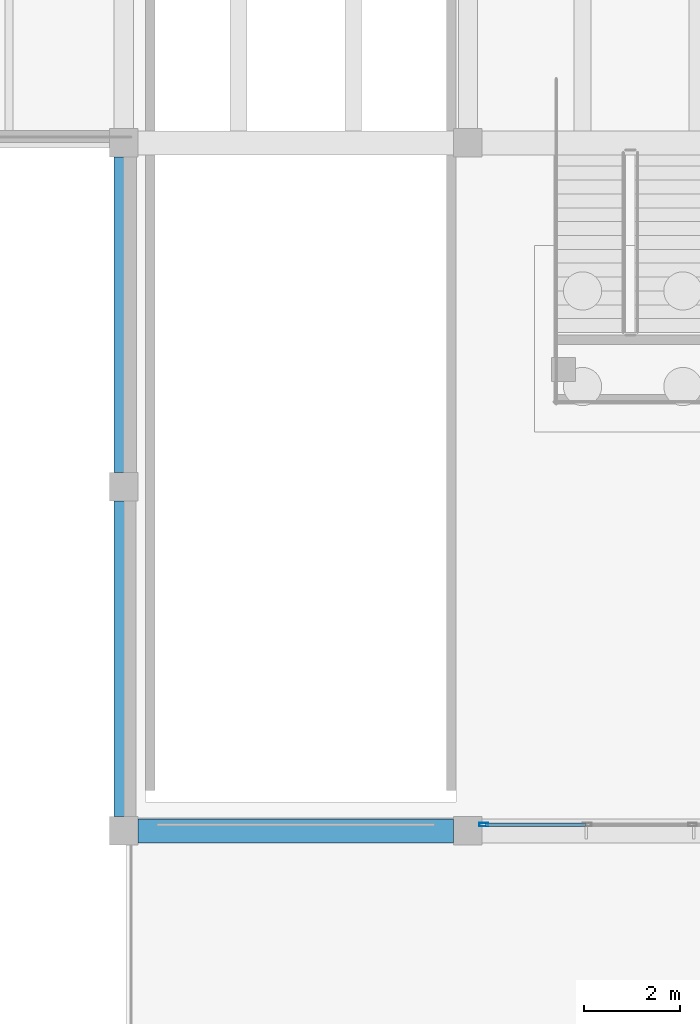
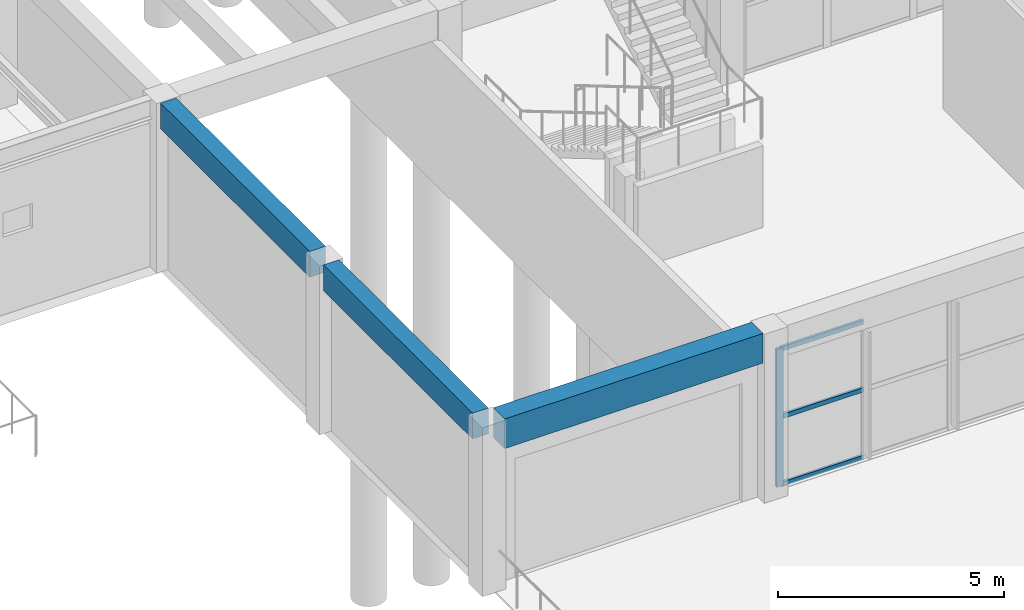
# One storey, part 27 of 155: 4 members, 3 beams, 1 element without a shape of its own.
"""IFC4 building model written with IfcOpenShell, lengths in metres."""

from ifc_helpers import new_model, si_unit, direction, frame, origin, origin_2d, place, context, subcontext, project, spatial, rectangle, hollow_rectangle, extrude, material, material_profile, profile_set, type_object, element, aggregate, save


model = new_model("IFC4")

# Units and contexts
model_context = context("Model", 3, precision=1e-05, world=origin(), true_north=direction((0.0, 1.0)))
body_context = subcontext(model_context, "Body", "Model", "MODEL_VIEW")
ifc_project = project(units=[si_unit("LENGTHUNIT", "METRE"), si_unit("AREAUNIT", "SQUARE_METRE"), si_unit("VOLUMEUNIT", "CUBIC_METRE"), si_unit("PLANEANGLEUNIT", "RADIAN"), si_unit("MASSUNIT", "GRAM", prefix="KILO")], contexts=[model_context])

# Site, building, storey
site_placement = place(None, origin())
site = spatial("IfcSite", under=ifc_project, at=site_placement, CompositionType="ELEMENT")
building_placement = place(site_placement, origin())
building = spatial("IfcBuilding", under=site, at=building_placement, Name="Bramvelor Terrace Health Centre", CompositionType="ELEMENT")
storey_placement = place(building_placement, origin())
storey = spatial("IfcBuildingStorey", under=building, at=storey_placement, Name="L01", CompositionType="ELEMENT", Elevation=0.0)

# Beams
ifc_material_1 = material(Name="Concrete C40/50", Category="concrete")
ifc_material_profile_1 = material_profile(ifc_material_1, rectangle(XDim=0.39990234375, YDim=0.699951171875, at=origin_2d()), Name="RC 400x700")
ifc_profile_set_1 = profile_set([ifc_material_profile_1], Name="Concrete C40/50")
beam_type_1 = type_object("IfcBeamType", Name="BM-RC-G700", PredefinedType="BEAM", material=ifc_profile_set_1)
beam_1_placement = place(storey_placement, frame((43.199951171875, 36.300048828125, 4.2099609375), z_axis=(0.0, 1.0, 0.0), x_axis=(-1.0, 0.0, 0.0)))
element("IfcBeam", 1, at=beam_1_placement, inside=storey, type_object=beam_type_1, Name="L01 Floor Girder", PredefinedType="BEAM", context=body_context, shape_type="SweptSolid", body=[
    extrude(rectangle(XDim=0.39990234375, YDim=0.699951171875, at=origin_2d()), origin(), (0.0, 0.0, 1.0), 6.599853515625),
])
beam_2_placement = place(storey_placement, frame((43.199951171875, 43.5, 4.2099609375), z_axis=(0.0, 1.0, 0.0), x_axis=(-1.0, 0.0, 0.0)))
element("IfcBeam", 2, at=beam_2_placement, inside=storey, type_object=beam_type_1, Name="L01 Floor Girder", PredefinedType="BEAM", context=body_context, shape_type="SweptSolid", body=[
    extrude(rectangle(XDim=0.39990234375, YDim=0.699951171875, at=origin_2d()), origin(), (0.0, 0.0, 1.0), 6.60009765625),
])
ifc_material_2 = material(Name="Concrete C40/50", Category="concrete")
ifc_material_profile_2 = material_profile(ifc_material_2, rectangle(XDim=0.5, YDim=0.800048828125, at=origin_2d()), Name="RC 500x800")
ifc_profile_set_2 = profile_set([ifc_material_profile_2], Name="Concrete C40/50")
beam_type_2 = type_object("IfcBeamType", Name="BM-RC-G800", PredefinedType="BEAM", material=ifc_profile_set_2)
beam_3_placement = place(storey_placement, frame((43.5, 36.0, 4.159912109375), z_axis=(1.0, 0.0, 0.0), x_axis=(0.0, 1.0, 0.0)))
element("IfcBeam", 3, at=beam_3_placement, inside=storey, type_object=beam_type_2, Name="L01 Floor Girder", PredefinedType="BEAM", context=body_context, shape_type="SweptSolid", body=[
    extrude(rectangle(XDim=0.5, YDim=0.800048828125, at=origin_2d()), origin(), (0.0, 0.0, 1.0), 6.60009765625),
])

# Curtain wall, members
ifc_material_3 = material(Name="Anodized aluminium and double low-E glass", Category="aluminium")
curtain_wall_type = type_object("IfcCurtainWallType", Name="CW-SYS-02", PredefinedType="NOTDEFINED", material=ifc_material_3)
curtain_wall_placement = place(storey_placement, origin())
curtain_wall = element("IfcCurtainWall", 4, at=curtain_wall_placement, inside=storey, type_object=curtain_wall_type, Name="L01 Unitized Curtain Wall 57", PredefinedType="NOTDEFINED")
ifc_material_4 = material(Name="Anodized aluminium 6063-T6", Category="aluminium")
ifc_material_profile_3 = material_profile(ifc_material_4, hollow_rectangle(XDim=0.074951171875, YDim=0.179931640625, WallThickness=0.00341796875, at=origin_2d()), Name="ALU-MUL 75x180x3.5")
ifc_profile_set_3 = profile_set([ifc_material_profile_3], Name="Anodized aluminium 6063-T6")
member_type_1 = type_object("IfcMemberType", Name="CW-MUL-65x180", PredefinedType="MULLION", material=ifc_profile_set_3)
member_1_placement = place(storey_placement, frame((50.732421875, 36.1298828125, 0.0), z_axis=(0.0, 0.0, 1.0), x_axis=(0.0, -1.0, 0.0)))
member_1 = element("IfcMember", 5, at=member_1_placement, type_object=member_type_1, Name="CW-02 mullion 4", PredefinedType="MULLION", context=body_context, shape_type="SweptSolid", body=[
    extrude(hollow_rectangle(XDim=0.074951171875, YDim=0.179931640625, WallThickness=0.00341796875, at=origin_2d()), origin(), (0.0, 0.0, 1.0), 3.719970703125),
])
ifc_material_5 = material(Name="Anodized aluminium 6063-T6", Category="aluminium")
ifc_material_profile_4 = material_profile(ifc_material_5, hollow_rectangle(XDim=0.06494140625, YDim=0.1201171875, WallThickness=0.0029296875, at=origin_2d()), Name="ALU-TRN 65x120x3.0")
ifc_profile_set_4 = profile_set([ifc_material_profile_4], Name="Anodized aluminium 6063-T6")
member_type_2 = type_object("IfcMemberType", Name="CW-TRN-65x150", PredefinedType="USERDEFINED", material=ifc_profile_set_4)
member_2_placement = place(storey_placement, frame((52.86083984375, 36.1298828125, 0.032470703125), z_axis=(-1.0, 0.0, 0.0), x_axis=(0.0, -1.0, 0.0)))
member_2 = element("IfcMember", 6, at=member_2_placement, type_object=member_type_2, Name="CW-02 transom 3.1", ObjectType="TRANSOM", PredefinedType="USERDEFINED", context=body_context, shape_type="SweptSolid", body=[
    extrude(hollow_rectangle(XDim=0.06494140625, YDim=0.1201171875, WallThickness=0.0029296875, at=origin_2d()), origin(), (0.0, 0.0, 1.0), 2.0908203125),
])
member_3_placement = place(storey_placement, frame((52.86083984375, 36.1298828125, 1.860107421875), z_axis=(-1.0, 0.0, 0.0), x_axis=(0.0, -1.0, 0.0)))
member_3 = element("IfcMember", 7, at=member_3_placement, type_object=member_type_2, Name="CW-02 transom 3.2", ObjectType="TRANSOM", PredefinedType="USERDEFINED", context=body_context, shape_type="SweptSolid", body=[
    extrude(hollow_rectangle(XDim=0.06494140625, YDim=0.1201171875, WallThickness=0.0029296875, at=origin_2d()), origin(), (0.0, 0.0, 1.0), 2.0908203125),
])
member_4_placement = place(storey_placement, frame((52.86083984375, 36.1298828125, 3.6875), z_axis=(-1.0, 0.0, 0.0), x_axis=(0.0, -1.0, 0.0)))
member_4 = element("IfcMember", 8, at=member_4_placement, type_object=member_type_2, Name="CW-02 transom 3.3", ObjectType="TRANSOM", PredefinedType="USERDEFINED", context=body_context, shape_type="SweptSolid", body=[
    extrude(hollow_rectangle(XDim=0.06494140625, YDim=0.1201171875, WallThickness=0.0029296875, at=origin_2d()), origin(), (0.0, 0.0, 1.0), 2.0908203125),
])
aggregate(curtain_wall, [member_1, member_2, member_3, member_4])

save(model, "model.ifc")
